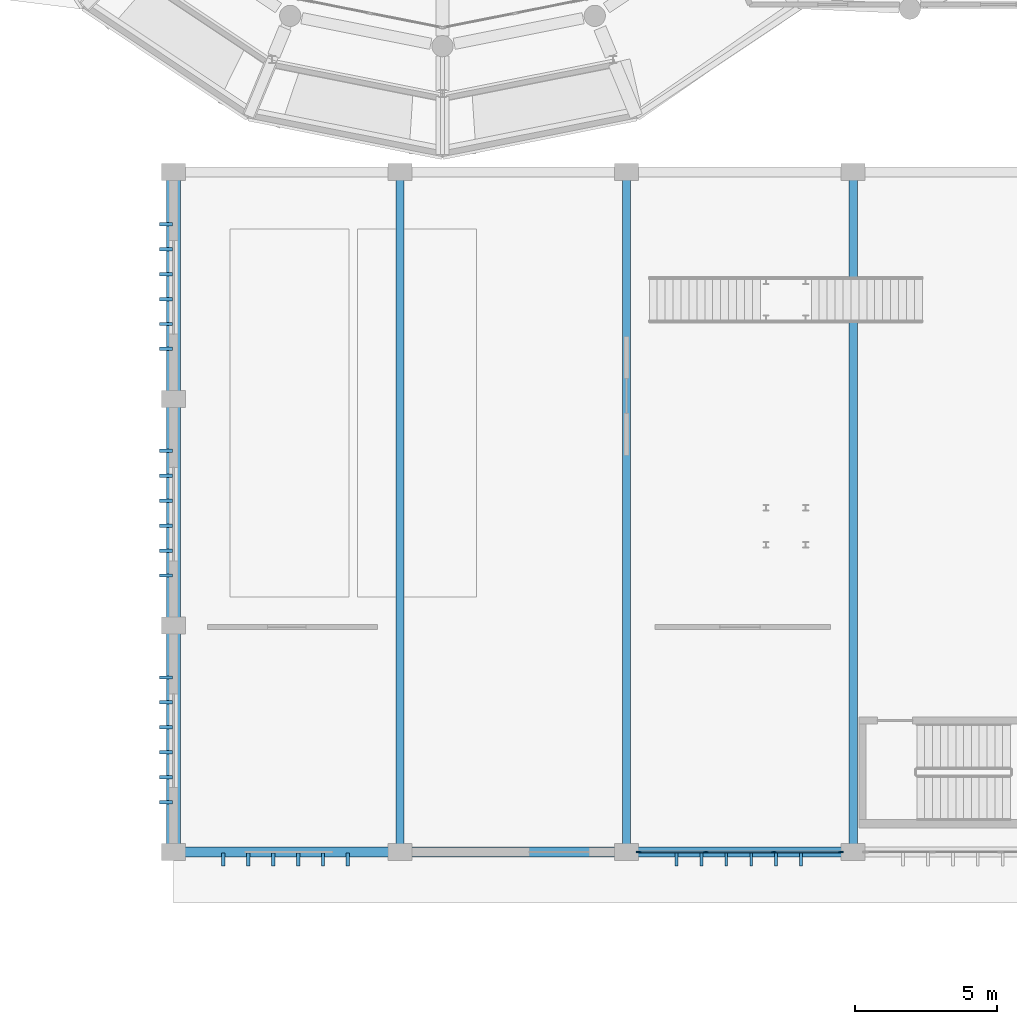
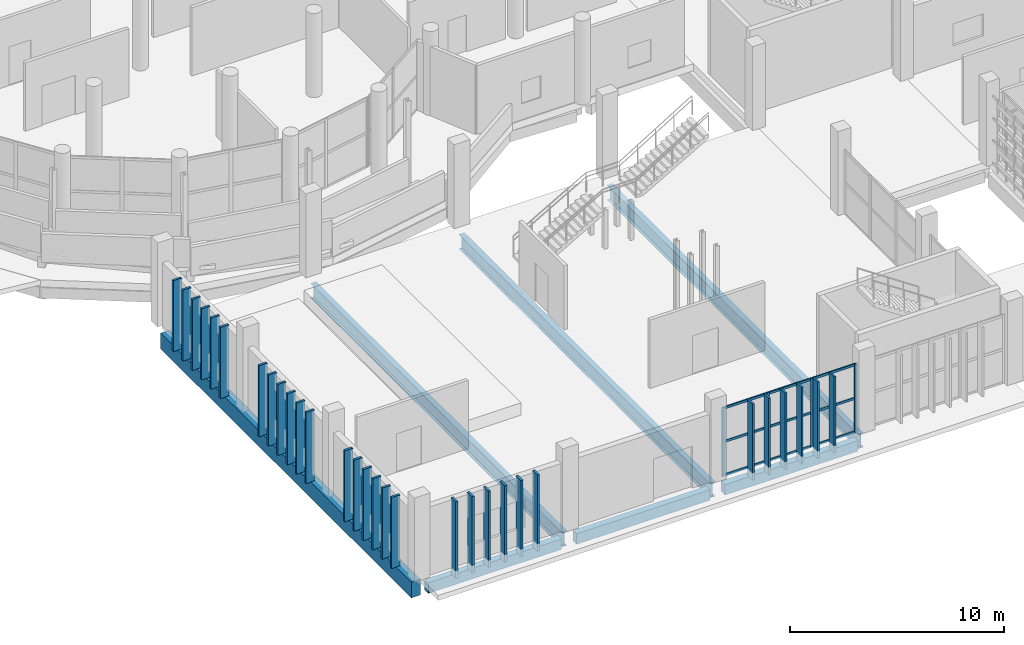
# One storey, part 22 of 117: 43 members, 7 beams, 1 element without a shape of its own.
"""IFC4 building model written with IfcOpenShell, lengths in metres."""

from ifc_helpers import new_model, si_unit, direction, frame, origin, origin_2d, place, context, subcontext, project, spatial, rectangle, i_section, extrude, material, layer, layer_set, material_profile, profile_set, type_object, element, aggregate, save


model = new_model("IFC4")

# Units and contexts
model_context = context("Model", 3, precision=1e-05, world=origin(), true_north=direction((0.0, 1.0)))
body_context = subcontext(model_context, "Body", "Model", "MODEL_VIEW")
ifc_project = project(units=[si_unit("LENGTHUNIT", "METRE"), si_unit("AREAUNIT", "SQUARE_METRE"), si_unit("VOLUMEUNIT", "CUBIC_METRE"), si_unit("PLANEANGLEUNIT", "RADIAN"), si_unit("MASSUNIT", "GRAM", prefix="KILO")], contexts=[model_context])

# Site, building, storey
site_placement = place(None, origin())
site = spatial("IfcSite", under=ifc_project, at=site_placement, CompositionType="ELEMENT")
building_placement = place(site_placement, origin())
building = spatial("IfcBuilding", under=site, at=building_placement, Name="Jelvoka-Kovrelna Polytechnic", CompositionType="ELEMENT")
storey_placement = place(building_placement, origin())
storey = spatial("IfcBuildingStorey", under=building, at=storey_placement, Name="L01", CompositionType="ELEMENT", Elevation=0.0)

# Beams
ifc_material_1 = material(Name="Concrete C40/50", Category="concrete")
ifc_material_profile_1 = material_profile(ifc_material_1, rectangle(XDim=0.5, YDim=0.89990234375, at=origin_2d()), Name="RC 500x900")
ifc_profile_set_1 = profile_set([ifc_material_profile_1], Name="Concrete C40/50")
beam_type_1 = type_object("IfcBeamType", Name="Beam_RC_500x900", PredefinedType="BEAM", material=ifc_profile_set_1)
beam_placement = place(storey_placement, frame((16.0, 0.280029296875, -0.860107421875), z_axis=(0.0, 1.0, 0.0), x_axis=(-1.0, 0.0, 0.0)))
element("IfcBeam", 1, at=beam_placement, inside=storey, type_object=beam_type_1, Name="L01 beam 0117", PredefinedType="BEAM", context=body_context, shape_type="SweptSolid", body=[
    extrude(rectangle(XDim=0.5, YDim=0.89990234375, at=origin_2d()), origin(), (0.0, 0.0, 1.0), 23.43994140625),
])
ifc_material_2 = material(Name="Structural steel S355JR", Category="steel")
ifc_material_profile_2 = material_profile(ifc_material_2, i_section(OverallWidth=0.291748046875, OverallDepth=0.8349609375, WebThickness=0.013916015625, FlangeThickness=0.018798828125, FilletRadius=0.017822265625, at=origin_2d()), Name="838x292x176 UB")
ifc_profile_set_2 = profile_set([ifc_material_profile_2], Name="Structural steel S355JR")
beam_type_2 = type_object("IfcBeamType", Name="Girder_Steel_UB838", PredefinedType="BEAM", material=ifc_profile_set_2)
for number, where, z_axis, x_axis, name in (
    (2, (24.0, 0.280029296875, -0.827392578125), (0.0, 1.0, 0.0), (-1.0, 0.0, 0.0), "L01 beam 0118"),
    (3, (32.0, 0.280029296875, -0.827392578125), (0.0, 1.0, 0.0), (-1.0, 0.0, 0.0), "L01 beam 0119"),
    (4, (40.0, 0.280029296875, -0.827392578125), (0.0, 1.0, 0.0), (-1.0, 0.0, 0.0), "L01 beam 0120"),
):
    element("IfcBeam", number, at=place(storey_placement, frame(where, z_axis=z_axis, x_axis=x_axis)), inside=storey, type_object=beam_type_2, Name=name, PredefinedType="BEAM", context=body_context, shape_type="SweptSolid", body=[
        extrude(i_section(OverallWidth=0.291748046875, OverallDepth=0.8349609375, WebThickness=0.013916015625, FlangeThickness=0.018798828125, FilletRadius=0.017822265625, at=origin_2d()), origin(), (0.0, 0.0, 1.0), 23.43994140625),
    ])

# Members
ifc_material_3 = material(Name="Precast concrete C40/50", Category="concrete")
ifc_material_profile_3 = material_profile(ifc_material_3, rectangle(XDim=0.10009765625, YDim=0.449951171875, at=origin_2d()), Name="PC 100x450")
ifc_profile_set_3 = profile_set([ifc_material_profile_3], Name="Precast concrete C40/50")
member_type_1 = type_object("IfcMemberType", Name="Louvre_Fin_100x450", PredefinedType="USERDEFINED", material=ifc_profile_set_3)
for number, where, z_axis, x_axis, name in (
    (5, (33.760009765625, -0.264892578125, -0.419921875), (0.0, 0.0, 1.0), (1.0, 0.0, 0.0), "L01 V4 south solar louvre fin 2362"),
    (6, (34.639892578125, -0.264892578125, -0.419921875), (0.0, 0.0, 1.0), (1.0, 0.0, 0.0), "L01 V4 south solar louvre fin 2363"),
    (7, (35.52001953125, -0.264892578125, -0.419921875), (0.0, 0.0, 1.0), (1.0, 0.0, 0.0), "L01 V4 south solar louvre fin 2364"),
    (8, (36.39990234375, -0.264892578125, -0.419921875), (0.0, 0.0, 1.0), (1.0, 0.0, 0.0), "L01 V4 south solar louvre fin 2365"),
    (9, (37.280029296875, -0.264892578125, -0.419921875), (0.0, 0.0, 1.0), (1.0, 0.0, 0.0), "L01 V4 south solar louvre fin 2366"),
    (10, (38.159912109375, -0.264892578125, -0.419921875), (0.0, 0.0, 1.0), (1.0, 0.0, 0.0), "L01 V4 south solar louvre fin 2367"),
):
    element("IfcMember", number, at=place(storey_placement, frame(where, z_axis=z_axis, x_axis=x_axis)), inside=storey, type_object=member_type_1, Name=name, ObjectType="SUNSHADE", PredefinedType="USERDEFINED", context=body_context, shape_type="SweptSolid", body=[
        extrude(rectangle(XDim=0.10009765625, YDim=0.449951171875, at=origin_2d()), origin(), (0.0, 0.0, 1.0), 4.35986328125),
    ])
ifc_material_4 = material(Name="Precast concrete C40/50", Category="concrete")
ifc_material_profile_4 = material_profile(ifc_material_4, rectangle(XDim=0.1201171875, YDim=0.449951171875, at=origin_2d()), Name="PC 120x450")
ifc_profile_set_4 = profile_set([ifc_material_profile_4], Name="Precast concrete C40/50")
member_type_2 = type_object("IfcMemberType", Name="Louvre_Fin_120x450", PredefinedType="USERDEFINED", material=ifc_profile_set_4)
for number, where, z_axis, x_axis, name in (
    (11, (17.760009765625, -0.264892578125, -0.419921875), (0.0, 0.0, 1.0), (1.0, 0.0, 0.0), "L01 V4 south solar louvre fin 2356"),
    (12, (18.639892578125, -0.264892578125, -0.419921875), (0.0, 0.0, 1.0), (1.0, 0.0, 0.0), "L01 V4 south solar louvre fin 2357"),
    (13, (19.52001953125, -0.264892578125, -0.419921875), (0.0, 0.0, 1.0), (1.0, 0.0, 0.0), "L01 V4 south solar louvre fin 2358"),
    (14, (20.39990234375, -0.264892578125, -0.419921875), (0.0, 0.0, 1.0), (1.0, 0.0, 0.0), "L01 V4 south solar louvre fin 2359"),
    (15, (21.280029296875, -0.264892578125, -0.419921875), (0.0, 0.0, 1.0), (1.0, 0.0, 0.0), "L01 V4 south solar louvre fin 2360"),
    (16, (22.159912109375, -0.264892578125, -0.419921875), (0.0, 0.0, 1.0), (1.0, 0.0, 0.0), "L01 V4 south solar louvre fin 2361"),
):
    element("IfcMember", number, at=place(storey_placement, frame(where, z_axis=z_axis, x_axis=x_axis)), inside=storey, type_object=member_type_2, Name=name, ObjectType="SUNSHADE", PredefinedType="USERDEFINED", context=body_context, shape_type="SweptSolid", body=[
        extrude(rectangle(XDim=0.1201171875, YDim=0.449951171875, at=origin_2d()), origin(), (0.0, 0.0, 1.0), 4.35986328125),
    ])
for number, where, z_axis, x_axis, name in (
    (17, (15.735107421875, 1.760009765625, -0.419921875), (0.0, 0.0, 1.0), (0.0, 1.0, 0.0), "L01 V4 west solar louvre fin 2374"),
    (18, (15.735107421875, 2.639892578125, -0.419921875), (0.0, 0.0, 1.0), (0.0, 1.0, 0.0), "L01 V4 west solar louvre fin 2375"),
    (19, (15.735107421875, 3.52001953125, -0.419921875), (0.0, 0.0, 1.0), (0.0, 1.0, 0.0), "L01 V4 west solar louvre fin 2376"),
    (20, (15.735107421875, 4.39990234375, -0.419921875), (0.0, 0.0, 1.0), (0.0, 1.0, 0.0), "L01 V4 west solar louvre fin 2377"),
    (21, (15.735107421875, 5.280029296875, -0.419921875), (0.0, 0.0, 1.0), (0.0, 1.0, 0.0), "L01 V4 west solar louvre fin 2378"),
    (22, (15.735107421875, 6.159912109375, -0.419921875), (0.0, 0.0, 1.0), (0.0, 1.0, 0.0), "L01 V4 west solar louvre fin 2379"),
    (23, (15.735107421875, 9.760009765625, -0.419921875), (0.0, 0.0, 1.0), (0.0, 1.0, 0.0), "L01 V4 west solar louvre fin 2380"),
    (24, (15.735107421875, 10.639892578125, -0.419921875), (0.0, 0.0, 1.0), (0.0, 1.0, 0.0), "L01 V4 west solar louvre fin 2381"),
    (25, (15.735107421875, 11.52001953125, -0.419921875), (0.0, 0.0, 1.0), (0.0, 1.0, 0.0), "L01 V4 west solar louvre fin 2382"),
    (26, (15.735107421875, 12.39990234375, -0.419921875), (0.0, 0.0, 1.0), (0.0, 1.0, 0.0), "L01 V4 west solar louvre fin 2383"),
    (27, (15.735107421875, 13.280029296875, -0.419921875), (0.0, 0.0, 1.0), (0.0, 1.0, 0.0), "L01 V4 west solar louvre fin 2384"),
    (28, (15.735107421875, 14.159912109375, -0.419921875), (0.0, 0.0, 1.0), (0.0, 1.0, 0.0), "L01 V4 west solar louvre fin 2385"),
    (29, (15.735107421875, 17.760009765625, -0.419921875), (0.0, 0.0, 1.0), (0.0, 1.0, 0.0), "L01 V4 west solar louvre fin 2386"),
    (30, (15.735107421875, 18.639892578125, -0.419921875), (0.0, 0.0, 1.0), (0.0, 1.0, 0.0), "L01 V4 west solar louvre fin 2387"),
    (31, (15.735107421875, 19.52001953125, -0.419921875), (0.0, 0.0, 1.0), (0.0, 1.0, 0.0), "L01 V4 west solar louvre fin 2388"),
    (32, (15.735107421875, 20.39990234375, -0.419921875), (0.0, 0.0, 1.0), (0.0, 1.0, 0.0), "L01 V4 west solar louvre fin 2389"),
    (33, (15.735107421875, 21.280029296875, -0.419921875), (0.0, 0.0, 1.0), (0.0, 1.0, 0.0), "L01 V4 west solar louvre fin 2390"),
    (34, (15.735107421875, 22.159912109375, -0.419921875), (0.0, 0.0, 1.0), (0.0, 1.0, 0.0), "L01 V4 west solar louvre fin 2391"),
):
    element("IfcMember", number, at=place(storey_placement, frame(where, z_axis=z_axis, x_axis=x_axis)), inside=storey, type_object=member_type_2, Name=name, ObjectType="SUNSHADE", PredefinedType="USERDEFINED", context=body_context, shape_type="SweptSolid", body=[
        extrude(rectangle(XDim=0.1201171875, YDim=0.449951171875, at=origin_2d()), origin(), (0.0, 0.0, 1.0), 4.059814453125),
    ])

# Curtain wall, members
ifc_material_5 = material(Name="Anodised aluminium 6063-T6", Category="aluminium")
ifc_layer = layer(ifc_material_5, 0.179931640625)
ifc_layer_set = layer_set([ifc_layer], Name="Anodised aluminium 6063-T6")
curtain_wall_type = type_object("IfcCurtainWallType", Name="CW_Pavilion", PredefinedType="NOTDEFINED", material=ifc_layer_set)
curtain_wall_placement = place(storey_placement, origin())
curtain_wall = element("IfcCurtainWall", 35, at=curtain_wall_placement, inside=storey, type_object=curtain_wall_type, Name="L01 glazed curtain wall 266", PredefinedType="NOTDEFINED")
ifc_material_6 = material(Name="Anodised aluminium 6063-T6", Category="aluminium")
ifc_material_profile_5 = material_profile(ifc_material_6, rectangle(XDim=0.06494140625, YDim=0.179931640625, at=origin_2d()), Name="ALU 65x180")
ifc_profile_set_5 = profile_set([ifc_material_profile_5], Name="Anodised aluminium 6063-T6")
member_type_3 = type_object("IfcMemberType", Name="Mullion_M-05", PredefinedType="MULLION", material=ifc_profile_set_5)
member_1_placement = place(storey_placement, frame((39.5673828125, 0.0, -0.02490234375), z_axis=(0.0, 0.0, 1.0), x_axis=(0.0, -1.0, 0.0)))
member_1 = element("IfcMember", 36, at=member_1_placement, type_object=member_type_3, Name="CW-05 mullion 1", PredefinedType="MULLION", context=body_context, shape_type="SweptSolid", body=[
    extrude(rectangle(XDim=0.06494140625, YDim=0.179931640625, at=origin_2d()), origin(), (0.0, 0.0, 1.0), 3.93994140625),
])
member_2_placement = place(storey_placement, frame((37.199951171875, 0.0, -0.02490234375), z_axis=(0.0, 0.0, 1.0), x_axis=(0.0, -1.0, 0.0)))
member_2 = element("IfcMember", 37, at=member_2_placement, type_object=member_type_3, Name="CW-05 mullion 2", PredefinedType="MULLION", context=body_context, shape_type="SweptSolid", body=[
    extrude(rectangle(XDim=0.06494140625, YDim=0.179931640625, at=origin_2d()), origin(), (0.0, 0.0, 1.0), 3.93994140625),
])
member_3_placement = place(storey_placement, frame((34.800048828125, 0.0, -0.02490234375), z_axis=(0.0, 0.0, 1.0), x_axis=(0.0, -1.0, 0.0)))
member_3 = element("IfcMember", 38, at=member_3_placement, type_object=member_type_3, Name="CW-05 mullion 3", PredefinedType="MULLION", context=body_context, shape_type="SweptSolid", body=[
    extrude(rectangle(XDim=0.06494140625, YDim=0.179931640625, at=origin_2d()), origin(), (0.0, 0.0, 1.0), 3.93994140625),
])
member_4_placement = place(storey_placement, frame((32.4326171875, 0.0, -0.02490234375), z_axis=(0.0, 0.0, 1.0), x_axis=(0.0, -1.0, 0.0)))
member_4 = element("IfcMember", 39, at=member_4_placement, type_object=member_type_3, Name="CW-05 mullion 4", PredefinedType="MULLION", context=body_context, shape_type="SweptSolid", body=[
    extrude(rectangle(XDim=0.06494140625, YDim=0.179931640625, at=origin_2d()), origin(), (0.0, 0.0, 1.0), 3.93994140625),
])

# Beams
ifc_material_7 = material(Name="Concrete C40/50", Category="concrete")
ifc_material_profile_6 = material_profile(ifc_material_7, rectangle(XDim=0.35009765625, YDim=0.60009765625, at=origin_2d()), Name="RC 350x600")
ifc_profile_set_6 = profile_set([ifc_material_profile_6], Name="Concrete C40/50")
beam_type_3 = type_object("IfcBeamType", Name="Spandrel_RC_350x600", PredefinedType="SPANDREL", material=ifc_profile_set_6)
for number, where, z_axis, x_axis, name in (
    (40, (16.405029296875, 0.0, -0.7099609375), (1.0, 0.0, 0.0), (0.0, 1.0, 0.0), "L01 beam 0122"),
    (41, (24.405029296875, 0.0, -0.7099609375), (1.0, 0.0, 0.0), (0.0, 1.0, 0.0), "L01 beam 0124"),
    (42, (32.405029296875, 0.0, -0.7099609375), (1.0, 0.0, 0.0), (0.0, 1.0, 0.0), "L01 beam 0126"),
):
    element("IfcBeam", number, at=place(storey_placement, frame(where, z_axis=z_axis, x_axis=x_axis)), inside=storey, type_object=beam_type_3, Name=name, PredefinedType="SPANDREL", context=body_context, shape_type="SweptSolid", body=[
        extrude(rectangle(XDim=0.35009765625, YDim=0.60009765625, at=origin_2d()), origin(), (0.0, 0.0, 1.0), 7.18994140625),
    ])

# Member
ifc_material_8 = material(Name="Anodised aluminium 6063-T6", Category="aluminium")
ifc_material_profile_7 = material_profile(ifc_material_8, rectangle(XDim=0.06494140625, YDim=0.135009765625, at=origin_2d()), Name="ALU 65x135")
ifc_profile_set_7 = profile_set([ifc_material_profile_7], Name="Anodised aluminium 6063-T6")
member_type_4 = type_object("IfcMemberType", Name="Transom_T-05", PredefinedType="USERDEFINED", material=ifc_profile_set_7)
member_5_placement = place(storey_placement, frame((39.534912109375, 0.0, 0.032470703125), z_axis=(-1.0, 0.0, 0.0), x_axis=(0.0, -1.0, 0.0)))
member_5 = element("IfcMember", 43, at=member_5_placement, type_object=member_type_4, Name="CW-05 transom 1.1", ObjectType="TRANSOM", PredefinedType="USERDEFINED", context=body_context, shape_type="SweptSolid", body=[
    extrude(rectangle(XDim=0.06494140625, YDim=0.135009765625, at=origin_2d()), origin(), (0.0, 0.0, 1.0), 2.302490234375),
])

member_6_placement = place(storey_placement, frame((39.534912109375, 0.0, 1.945068359375), z_axis=(-1.0, 0.0, 0.0), x_axis=(0.0, -1.0, 0.0)))
member_6 = element("IfcMember", 44, at=member_6_placement, type_object=member_type_4, Name="CW-05 transom 1.2", ObjectType="TRANSOM", PredefinedType="USERDEFINED", context=body_context, shape_type="SweptSolid", body=[
    extrude(rectangle(XDim=0.06494140625, YDim=0.135009765625, at=origin_2d()), origin(), (0.0, 0.0, 1.0), 2.302490234375),
])

member_7_placement = place(storey_placement, frame((39.534912109375, 0.0, 3.857421875), z_axis=(-1.0, 0.0, 0.0), x_axis=(0.0, -1.0, 0.0)))
member_7 = element("IfcMember", 45, at=member_7_placement, type_object=member_type_4, Name="CW-05 transom 1.3", ObjectType="TRANSOM", PredefinedType="USERDEFINED", context=body_context, shape_type="SweptSolid", body=[
    extrude(rectangle(XDim=0.06494140625, YDim=0.135009765625, at=origin_2d()), origin(), (0.0, 0.0, 1.0), 2.302490234375),
])

member_8_placement = place(storey_placement, frame((37.16748046875, 0.0, 0.032470703125), z_axis=(-1.0, 0.0, 0.0), x_axis=(0.0, -1.0, 0.0)))
member_8 = element("IfcMember", 46, at=member_8_placement, type_object=member_type_4, Name="CW-05 transom 2.1", ObjectType="TRANSOM", PredefinedType="USERDEFINED", context=body_context, shape_type="SweptSolid", body=[
    extrude(rectangle(XDim=0.06494140625, YDim=0.135009765625, at=origin_2d()), origin(), (0.0, 0.0, 1.0), 2.3349609375),
])

member_9_placement = place(storey_placement, frame((37.16748046875, 0.0, 1.945068359375), z_axis=(-1.0, 0.0, 0.0), x_axis=(0.0, -1.0, 0.0)))
member_9 = element("IfcMember", 47, at=member_9_placement, type_object=member_type_4, Name="CW-05 transom 2.2", ObjectType="TRANSOM", PredefinedType="USERDEFINED", context=body_context, shape_type="SweptSolid", body=[
    extrude(rectangle(XDim=0.06494140625, YDim=0.135009765625, at=origin_2d()), origin(), (0.0, 0.0, 1.0), 2.3349609375),
])

member_10_placement = place(storey_placement, frame((37.16748046875, 0.0, 3.857421875), z_axis=(-1.0, 0.0, 0.0), x_axis=(0.0, -1.0, 0.0)))
member_10 = element("IfcMember", 48, at=member_10_placement, type_object=member_type_4, Name="CW-05 transom 2.3", ObjectType="TRANSOM", PredefinedType="USERDEFINED", context=body_context, shape_type="SweptSolid", body=[
    extrude(rectangle(XDim=0.06494140625, YDim=0.135009765625, at=origin_2d()), origin(), (0.0, 0.0, 1.0), 2.3349609375),
])

member_11_placement = place(storey_placement, frame((34.767578125, 0.0, 0.032470703125), z_axis=(-1.0, 0.0, 0.0), x_axis=(0.0, -1.0, 0.0)))
member_11 = element("IfcMember", 49, at=member_11_placement, type_object=member_type_4, Name="CW-05 transom 3.1", ObjectType="TRANSOM", PredefinedType="USERDEFINED", context=body_context, shape_type="SweptSolid", body=[
    extrude(rectangle(XDim=0.06494140625, YDim=0.135009765625, at=origin_2d()), origin(), (0.0, 0.0, 1.0), 2.302490234375),
])

member_12_placement = place(storey_placement, frame((34.767578125, 0.0, 1.945068359375), z_axis=(-1.0, 0.0, 0.0), x_axis=(0.0, -1.0, 0.0)))
member_12 = element("IfcMember", 50, at=member_12_placement, type_object=member_type_4, Name="CW-05 transom 3.2", ObjectType="TRANSOM", PredefinedType="USERDEFINED", context=body_context, shape_type="SweptSolid", body=[
    extrude(rectangle(XDim=0.06494140625, YDim=0.135009765625, at=origin_2d()), origin(), (0.0, 0.0, 1.0), 2.302490234375),
])

member_13_placement = place(storey_placement, frame((34.767578125, 0.0, 3.857421875), z_axis=(-1.0, 0.0, 0.0), x_axis=(0.0, -1.0, 0.0)))
member_13 = element("IfcMember", 51, at=member_13_placement, type_object=member_type_4, Name="CW-05 transom 3.3", ObjectType="TRANSOM", PredefinedType="USERDEFINED", context=body_context, shape_type="SweptSolid", body=[
    extrude(rectangle(XDim=0.06494140625, YDim=0.135009765625, at=origin_2d()), origin(), (0.0, 0.0, 1.0), 2.302490234375),
])

aggregate(curtain_wall, [member_1, member_2, member_3, member_4, member_5, member_6, member_7, member_8, member_9, member_10, member_11, member_12, member_13])

save(model, "model.ifc")
